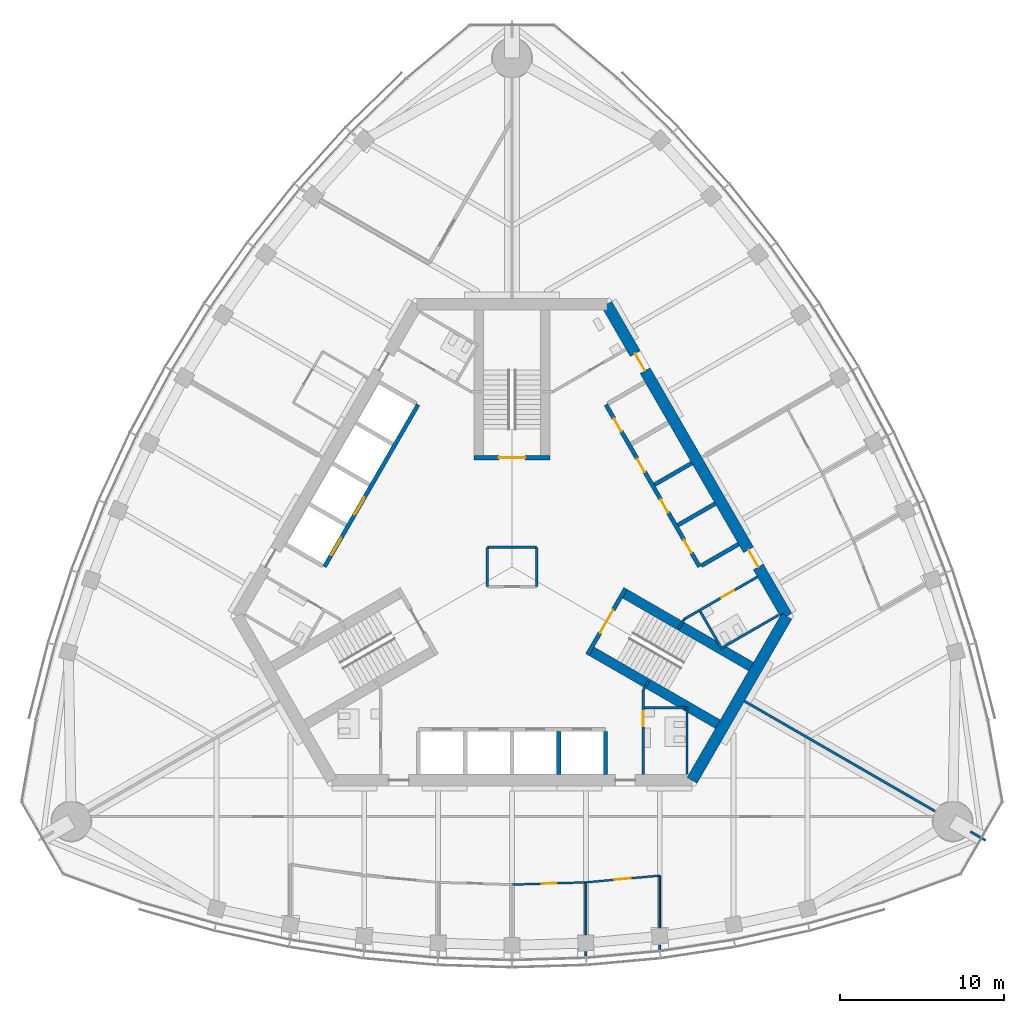
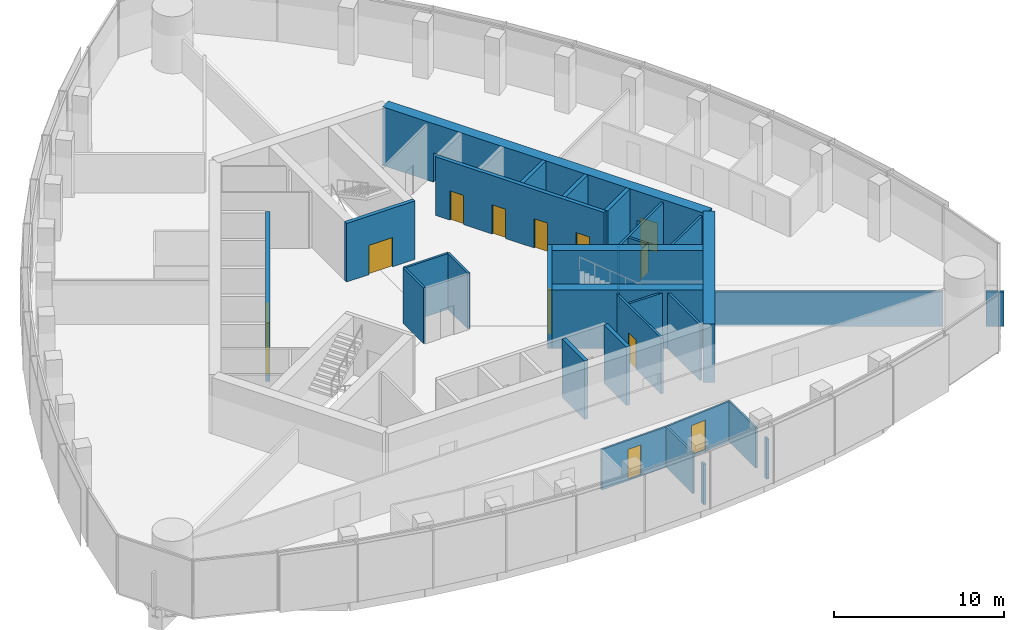
# One storey, part 9 of 16: 32 walls, 14 doors, 14 openings.
"""IFC4 building model written with IfcOpenShell, lengths in metres."""

from ifc_helpers import new_model, si_unit, direction, frame, frame_2d, origin, place, context, subcontext, project, spatial, rectangle, extrude, material, layer, layer_set, type_object, element, fill, save


model = new_model("IFC4")

# Units and contexts
model_context = context("Model", 3, precision=1e-05, world=origin(), true_north=direction((0.0, 1.0)))
body_context = subcontext(model_context, "Body", "Model", "MODEL_VIEW")
ifc_project = project(units=[si_unit("LENGTHUNIT", "METRE"), si_unit("AREAUNIT", "SQUARE_METRE"), si_unit("VOLUMEUNIT", "CUBIC_METRE"), si_unit("PLANEANGLEUNIT", "RADIAN"), si_unit("MASSUNIT", "GRAM", prefix="KILO")], contexts=[model_context])

# Site, building, storey
site_placement = place(None, origin())
site = spatial("IfcSite", under=ifc_project, at=site_placement, CompositionType="ELEMENT")
building_placement = place(site_placement, origin())
building = spatial("IfcBuilding", under=site, at=building_placement, Name="Trefoil Bronze Tower", CompositionType="ELEMENT")
storey_placement = place(building_placement, frame((0.0, 0.0, 293.10009765625)))
storey = spatial("IfcBuildingStorey", under=building, at=storey_placement, Name="L67", CompositionType="ELEMENT", Elevation=293.10009765625)

# Wall
ifc_material_1 = material(Name="Concrete B80", Category="concrete")
ifc_layer_1 = layer(ifc_material_1, 0.699951171875)
ifc_layer_set_1 = layer_set([ifc_layer_1], Name="Core wall 700")
wall_type_1 = type_object("IfcWallType", Name="Core wall 700", PredefinedType="SHEAR", material=ifc_layer_set_1)
wall_1_placement = place(storey_placement, frame((10.9697265625, -13.0, 0.0), z_axis=(0.0, 0.0, 1.0), x_axis=(0.499995765644, 0.866027848477, 0.0)))
element("IfcWall", 1, at=wall_1_placement, inside=storey, type_object=wall_type_1, Name="Core short wall 1 L67", PredefinedType="SHEAR", context=body_context, shape_type="SweptSolid", body=[
    extrude(rectangle(XDim=11.546875, YDim=0.699951171875, at=frame_2d((5.7734375, 0.0))), origin(), (0.0, 0.0, 1.0), 4.199951171875),
])

# Wall, openings, doors
wall_2_placement = place(storey_placement, frame((16.7431640625, -3.0, 0.0), z_axis=(0.0, 0.0, 1.0), x_axis=(-0.500002442456, 0.866023993627, 0.0)))
wall_2 = element("IfcWall", 2, at=wall_2_placement, inside=storey, type_object=wall_type_1, Name="Core long wall 2 L67", PredefinedType="SHEAR", context=body_context, shape_type="SweptSolid", body=[
    extrude(rectangle(XDim=21.939453125, YDim=0.699951171875, at=frame_2d((10.9697265625, 0.0))), origin(), (0.0, 0.0, 1.0), 4.199951171875),
])
opening_1_placement = place(wall_2_placement, frame((17.269775390625, 0.0, 0.0)))
opening_1 = element("IfcOpeningElement", 3, at=opening_1_placement, cuts=wall_2, Name="Opening D2", PredefinedType="OPENING", context=body_context, shape_type="SweptSolid", body=[
    extrude(rectangle(XDim=1.199951171875, YDim=2.10009765625, at=frame_2d((0.60009765625, 1.050048828125))), frame((0.0, 0.35986328125, 0.0), z_axis=(0.0, -1.0, 0.0), x_axis=(1.0, 0.0, 0.0)), (0.0, 0.0, 1.0), 0.719970703125),
])
opening_2_placement = place(wall_2_placement, frame((3.4697265625, 0.0, 0.0)))
opening_2 = element("IfcOpeningElement", 4, at=opening_2_placement, cuts=wall_2, Name="Opening D2", PredefinedType="OPENING", context=body_context, shape_type="SweptSolid", body=[
    extrude(rectangle(XDim=1.199951171875, YDim=2.10009765625, at=frame_2d((0.60009765625, 1.050048828125))), frame((0.0, 0.35986328125, 0.0), z_axis=(0.0, -1.0, 0.0), x_axis=(1.0, 0.0, 0.0)), (0.0, 0.0, 1.0), 0.719970703125),
])
ifc_material_2 = material(Name="Steel door", Category="steel")
door_type_1 = type_object("IfcDoorType", Name="Lobby door 1200", OperationType="SINGLE_SWING_RIGHT", PredefinedType="DOOR", material=ifc_material_2)
door_1_placement = place(opening_1_placement, origin())
door_1 = element("IfcDoor", 5, at=door_1_placement, inside=storey, type_object=door_type_1, Name="Lobby door F2+ L67", OperationType="SINGLE_SWING_RIGHT", OverallHeight=2.10009765625, OverallWidth=1.199951171875, PredefinedType="DOOR", context=body_context, shape_type="SweptSolid", body=[
    extrude(rectangle(XDim=1.199951171875, YDim=2.10009765625, at=frame_2d((0.60009765625, 1.050048828125))), frame((0.0, 0.02490234375, 0.0), z_axis=(0.0, -1.0, 0.0), x_axis=(1.0, 0.0, 0.0)), (0.0, 0.0, 1.0), 0.050048828125),
])
fill(opening_1, door_1)
door_2_placement = place(opening_2_placement, origin())
door_2 = element("IfcDoor", 6, at=door_2_placement, inside=storey, type_object=door_type_1, Name="Lobby door F2- L67", OperationType="SINGLE_SWING_LEFT", OverallHeight=2.10009765625, OverallWidth=1.199951171875, PredefinedType="DOOR", context=body_context, shape_type="SweptSolid", body=[
    extrude(rectangle(XDim=1.199951171875, YDim=2.10009765625, at=frame_2d((0.60009765625, 1.050048828125))), frame((0.0, 0.02490234375, 0.0), z_axis=(0.0, -1.0, 0.0), x_axis=(1.0, 0.0, 0.0)), (0.0, 0.0, 1.0), 0.050048828125),
])
fill(opening_2, door_2)

# Wall, opening, door
ifc_material_3 = material(Name="Glazed partition", Category="glass")
ifc_layer_2 = layer(ifc_material_3, 0.1201171875)
ifc_layer_set_2 = layer_set([ifc_layer_2], Name="Glazed partition 120")
wall_type_2 = type_object("IfcWallType", Name="Glazed partition 120", PredefinedType="PARTITIONING", material=ifc_layer_set_2)
wall_3_placement = place(storey_placement, frame((0.0, -19.3515625, 0.0), z_axis=(0.0, 0.0, 1.0), x_axis=(0.999542074227, 0.030259574513, 0.0)))
wall_3 = element("IfcWall", 7, at=wall_3_placement, inside=storey, type_object=wall_type_2, Name="Partition F1 L67", PredefinedType="PARTITIONING", context=body_context, shape_type="SweptSolid", body=[
    extrude(rectangle(XDim=4.501953125, YDim=0.1201171875, at=frame_2d((2.2509765625, 0.0))), origin(), (0.0, 0.0, 1.0), 2.89990234375),
])
opening_3_placement = place(wall_3_placement, frame((1.800048828125, 0.0, 0.14990234375)))
opening_3 = element("IfcOpeningElement", 8, at=opening_3_placement, cuts=wall_3, Name="Opening D8", PredefinedType="OPENING", context=body_context, shape_type="SweptSolid", body=[
    extrude(rectangle(XDim=0.89990234375, YDim=2.10009765625, at=frame_2d((0.449951171875, 1.050048828125))), frame((0.0, 0.070068359375, 0.0), z_axis=(0.0, -1.0, 0.0), x_axis=(1.0, 0.0, 0.0)), (0.0, 0.0, 1.0), 0.14013671875),
])
ifc_material_4 = material(Name="Timber door", Category="wood")
door_type_2 = type_object("IfcDoorType", Name="Office door 900", OperationType="SINGLE_SWING_LEFT", PredefinedType="DOOR", material=ifc_material_4)
door_3_placement = place(opening_3_placement, frame((0.89990234375, 0.0, 0.0), z_axis=(0.0, 0.0, 1.0), x_axis=(-1.0, 0.0, 0.0)))
door_3 = element("IfcDoor", 9, at=door_3_placement, inside=storey, type_object=door_type_2, Name="Office door F1 L67", OperationType="SINGLE_SWING_RIGHT", OverallHeight=2.10009765625, OverallWidth=0.89990234375, PredefinedType="DOOR", context=body_context, shape_type="SweptSolid", body=[
    extrude(rectangle(XDim=0.89990234375, YDim=2.10009765625, at=frame_2d((0.449951171875, 1.050048828125))), frame((0.0, 0.02490234375, 0.0), z_axis=(0.0, -1.0, 0.0), x_axis=(1.0, 0.0, 0.0)), (0.0, 0.0, 1.0), 0.050048828125),
])
fill(opening_3, door_3)

wall_4_placement = place(storey_placement, frame((4.5, -19.21533203125, 0.0), z_axis=(0.0, 0.0, 1.0), x_axis=(0.995871921504, 0.090769576179, 0.0)))
wall_4 = element("IfcWall", 10, at=wall_4_placement, inside=storey, type_object=wall_type_2, Name="Partition F1 L67", PredefinedType="PARTITIONING", context=body_context, shape_type="SweptSolid", body=[
    extrude(rectangle(XDim=4.5185546875, YDim=0.1201171875, at=frame_2d((2.25927734375, 0.0))), origin(), (0.0, 0.0, 1.0), 2.89990234375),
])
opening_4_placement = place(wall_4_placement, frame((1.75, 0.0, 0.14990234375)))
opening_4 = element("IfcOpeningElement", 11, at=opening_4_placement, cuts=wall_4, Name="Opening D9", PredefinedType="OPENING", context=body_context, shape_type="SweptSolid", body=[
    extrude(rectangle(XDim=1.0, YDim=2.10009765625, at=frame_2d((0.5, 1.050048828125))), frame((0.0, 0.070068359375, 0.0), z_axis=(0.0, -1.0, 0.0), x_axis=(1.0, 0.0, 0.0)), (0.0, 0.0, 1.0), 0.14013671875),
])
ifc_material_5 = material(Name="Glazed timber door", Category="wood")
door_type_3 = type_object("IfcDoorType", Name="Meeting room door 1000", OperationType="SINGLE_SWING_LEFT", PredefinedType="DOOR", material=ifc_material_5)
door_4_placement = place(opening_4_placement, frame((1.0, 0.0, 0.0), z_axis=(0.0, 0.0, 1.0), x_axis=(-1.0, 0.0, 0.0)))
door_4 = element("IfcDoor", 12, at=door_4_placement, inside=storey, type_object=door_type_3, Name="Meeting room door F1 L67", OperationType="SINGLE_SWING_RIGHT", OverallHeight=2.10009765625, OverallWidth=1.0, PredefinedType="DOOR", context=body_context, shape_type="SweptSolid", body=[
    extrude(rectangle(XDim=1.0, YDim=2.10009765625, at=frame_2d((0.5, 1.050048828125))), frame((0.0, 0.02490234375, 0.0), z_axis=(0.0, -1.0, 0.0), x_axis=(1.0, 0.0, 0.0)), (0.0, 0.0, 1.0), 0.050048828125),
])
fill(opening_4, door_4)

# Walls
wall_5_placement = place(storey_placement, frame((4.5, -19.21533203125, 0.0), z_axis=(0.0, 0.0, 1.0), x_axis=(0.0, -1.0, 0.0)))
element("IfcWall", 13, at=wall_5_placement, inside=storey, type_object=wall_type_2, Name="Partition F1 L67", PredefinedType="PARTITIONING", context=body_context, shape_type="SweptSolid", body=[
    extrude(rectangle(XDim=3.192626953125, YDim=0.1201171875, at=frame_2d((1.59619140625, 0.0))), origin(), (0.0, 0.0, 1.0), 2.89990234375),
])
wall_6_placement = place(storey_placement, frame((9.0, -18.80517578125, 0.0), z_axis=(0.0, 0.0, 1.0), x_axis=(0.0, -1.0, 0.0)))
element("IfcWall", 14, at=wall_6_placement, inside=storey, type_object=wall_type_2, Name="Partition F1 L67", PredefinedType="PARTITIONING", context=body_context, shape_type="SweptSolid", body=[
    extrude(rectangle(XDim=3.185302734375, YDim=0.1201171875, at=frame_2d((1.5927734375, 0.0))), origin(), (0.0, 0.0, 1.0), 2.89990234375),
])

# Wall, opening, door
ifc_material_6 = material(Name="Gypsum board on steel studs", Category="steel")
ifc_layer_3 = layer(ifc_material_6, 0.14990234375)
ifc_layer_set_3 = layer_set([ifc_layer_3], Name="Partition 150")
wall_type_3 = type_object("IfcWallType", Name="Partition 150", PredefinedType="PARTITIONING", material=ifc_layer_set_3)
wall_7_placement = place(storey_placement, frame((8.0, -7.5, 0.0), z_axis=(0.0, 0.0, 1.0), x_axis=(0.0, -1.0, 0.0)))
wall_7 = element("IfcWall", 15, at=wall_7_placement, inside=storey, type_object=wall_type_3, Name="Passage wall F1+ L67", PredefinedType="PARTITIONING", context=body_context, shape_type="SweptSolid", body=[
    extrude(rectangle(XDim=5.14990234375, YDim=0.14990234375, at=frame_2d((2.574951171875, 0.0))), origin(), (0.0, 0.0, 1.0), 4.0),
])
opening_5_placement = place(wall_7_placement, frame((1.300048828125, 0.0, 0.0)))
opening_5 = element("IfcOpeningElement", 16, at=opening_5_placement, cuts=wall_7, Name="Opening D3", PredefinedType="OPENING", context=body_context, shape_type="SweptSolid", body=[
    extrude(rectangle(XDim=0.89990234375, YDim=2.10009765625, at=frame_2d((0.449951171875, 1.050048828125))), frame((0.0, 0.0849609375, 0.0), z_axis=(0.0, -1.0, 0.0), x_axis=(1.0, 0.0, 0.0)), (0.0, 0.0, 1.0), 0.169921875),
])
ifc_material_7 = material(Name="Timber door", Category="wood")
door_type_4 = type_object("IfcDoorType", Name="WC door 900", OperationType="SINGLE_SWING_LEFT", PredefinedType="DOOR", material=ifc_material_7)
door_5_placement = place(opening_5_placement, origin())
door_5 = element("IfcDoor", 17, at=door_5_placement, inside=storey, type_object=door_type_4, Name="WC (men) door L67", OperationType="SINGLE_SWING_LEFT", OverallHeight=2.10009765625, OverallWidth=0.89990234375, PredefinedType="DOOR", context=body_context, shape_type="SweptSolid", body=[
    extrude(rectangle(XDim=0.89990234375, YDim=2.10009765625, at=frame_2d((0.449951171875, 1.050048828125))), frame((0.0, 0.02490234375, 0.0), z_axis=(0.0, -1.0, 0.0), x_axis=(1.0, 0.0, 0.0)), (0.0, 0.0, 1.0), 0.050048828125),
])
fill(opening_5, door_5)

wall_8_placement = place(storey_placement, frame((10.4951171875, -3.17822265625, 0.0), z_axis=(0.0, 0.0, 1.0), x_axis=(0.866037967349, 0.499978238636, 0.0)))
wall_8 = element("IfcWall", 18, at=wall_8_placement, inside=storey, type_object=wall_type_3, Name="Passage wall F2- L67", PredefinedType="PARTITIONING", context=body_context, shape_type="SweptSolid", body=[
    extrude(rectangle(XDim=5.150146484375, YDim=0.14990234375, at=frame_2d((2.5751953125, 0.0))), origin(), (0.0, 0.0, 1.0), 4.0),
])
opening_6_placement = place(wall_8_placement, frame((2.60009765625, 0.0, 0.0)))
opening_6 = element("IfcOpeningElement", 19, at=opening_6_placement, cuts=wall_8, Name="Opening D3", PredefinedType="OPENING", context=body_context, shape_type="SweptSolid", body=[
    extrude(rectangle(XDim=0.89990234375, YDim=2.10009765625, at=frame_2d((0.449951171875, 1.050048828125))), frame((0.0, 0.0849609375, 0.0), z_axis=(0.0, -1.0, 0.0), x_axis=(1.0, 0.0, 0.0)), (0.0, 0.0, 1.0), 0.169921875),
])
door_6_placement = place(opening_6_placement, frame((0.89990234375, 0.0, 0.0), z_axis=(0.0, 0.0, 1.0), x_axis=(-1.0, 0.0, 0.0)))
door_6 = element("IfcDoor", 20, at=door_6_placement, inside=storey, type_object=door_type_4, Name="WC (women) door L67", OperationType="SINGLE_SWING_RIGHT", OverallHeight=2.10009765625, OverallWidth=0.89990234375, PredefinedType="DOOR", context=body_context, shape_type="SweptSolid", body=[
    extrude(rectangle(XDim=0.89990234375, YDim=2.10009765625, at=frame_2d((0.449951171875, 1.050048828125))), frame((0.0, 0.02490234375, 0.0), z_axis=(0.0, -1.0, 0.0), x_axis=(1.0, 0.0, 0.0)), (0.0, 0.0, 1.0), 0.050048828125),
])
fill(opening_6, door_6)

# Walls
for number, where, z_axis, x_axis, name in (
    (21, (8.0, -7.5, 0.0), (0.0, 0.0, 1.0), (0.499842556608, 0.866116284689, 0.0), "WC wall ST1-1 L67"),
    (22, (10.4951171875, -3.17822265625, 0.0), (0.0, 0.0, 1.0), (-0.499842556608, -0.866116284689, 0.0), "WC wall ST1+1 L67"),
):
    element("IfcWall", number, at=place(storey_placement, frame(where, z_axis=z_axis, x_axis=x_axis)), inside=storey, type_object=wall_type_3, Name=name, PredefinedType="PARTITIONING", context=body_context, shape_type="SweptSolid", body=[
        extrude(rectangle(XDim=0.645263671875, YDim=0.14990234375, at=frame_2d((0.32275390625, 0.0))), origin(), (0.0, 0.0, 1.0), 4.0),
    ])
wall_9_placement = place(storey_placement, frame((10.659912109375, -8.5, 0.0), z_axis=(0.0, 0.0, 1.0), x_axis=(0.0, -1.0, 0.0)))
element("IfcWall", 23, at=wall_9_placement, inside=storey, type_object=wall_type_3, Name="WC partition WC (men) L67", PredefinedType="PARTITIONING", context=body_context, shape_type="SweptSolid", body=[
    extrude(rectangle(XDim=4.10009765625, YDim=0.14990234375, at=frame_2d((2.050048828125, 0.0))), origin(), (0.0, 0.0, 1.0), 4.0),
])
wall_10_placement = place(storey_placement, frame((8.074951171875, -8.574951171875, 0.0), z_axis=(0.0, 0.0, 1.0), x_axis=(1.0, 0.0, 0.0)))
element("IfcWall", 24, at=wall_10_placement, inside=storey, type_object=wall_type_3, Name="WC partition WC (men) L67", PredefinedType="PARTITIONING", context=body_context, shape_type="SweptSolid", body=[
    extrude(rectangle(XDim=2.510009765625, YDim=0.14990234375, at=frame_2d((1.2548828125, 0.0))), origin(), (0.0, 0.0, 1.0), 4.0),
])
wall_11_placement = place(storey_placement, frame((12.691162109375, -4.98193359375, 0.0), z_axis=(0.0, 0.0, 1.0), x_axis=(0.8660249478, 0.500000789788, 0.0)))
element("IfcWall", 25, at=wall_11_placement, inside=storey, type_object=wall_type_3, Name="WC partition WC (women) L67", PredefinedType="PARTITIONING", context=body_context, shape_type="SweptSolid", body=[
    extrude(rectangle(XDim=4.10009765625, YDim=0.14990234375, at=frame_2d((2.050048828125, 0.0))), origin(), (0.0, 0.0, 1.0), 4.0),
])
wall_12_placement = place(storey_placement, frame((11.463623046875, -2.70556640625, 0.0), z_axis=(0.0, 0.0, 1.0), x_axis=(0.50001992892, -0.866013897511, 0.0)))
element("IfcWall", 26, at=wall_12_placement, inside=storey, type_object=wall_type_3, Name="WC partition WC (women) L67", PredefinedType="PARTITIONING", context=body_context, shape_type="SweptSolid", body=[
    extrude(rectangle(XDim=2.51025390625, YDim=0.14990234375, at=frame_2d((1.255126953125, 0.0))), origin(), (0.0, 0.0, 1.0), 4.0),
])
wall_13_placement = place(storey_placement, frame((4.5, -23.4208984375, 0.0), z_axis=(0.0, 0.0, 1.0), x_axis=(0.0, -1.0, 0.0)))
element("IfcWall", 27, at=wall_13_placement, inside=storey, type_object=wall_type_3, Name="Partition F1 L67", PredefinedType="PARTITIONING", context=body_context, shape_type="SweptSolid", body=[
    extrude(rectangle(XDim=0.28955078125, YDim=0.14990234375, at=frame_2d((0.144775390625, 0.0))), origin(), (0.0, 0.0, 1.0), 2.89990234375),
])
wall_14_placement = place(storey_placement, frame((9.0, -23.0322265625, 0.0), z_axis=(0.0, 0.0, 1.0), x_axis=(0.0, -1.0, 0.0)))
element("IfcWall", 28, at=wall_14_placement, inside=storey, type_object=wall_type_3, Name="Partition F1 L67", PredefinedType="PARTITIONING", context=body_context, shape_type="SweptSolid", body=[
    extrude(rectangle(XDim=0.267822265625, YDim=0.14990234375, at=frame_2d((0.1337890625, 0.0))), origin(), (0.0, 0.0, 1.0), 2.89990234375),
])
ifc_material_8 = material(Name="Gypsum board on steel studs", Category="steel")
ifc_layer_4 = layer(ifc_material_8, 0.14990234375)
ifc_layer_set_4 = layer_set([ifc_layer_4], Name="Party wall 150")
wall_type_4 = type_object("IfcWallType", Name="Party wall 150", PredefinedType="PARTITIONING", material=ifc_layer_set_4)
wall_15_placement = place(storey_placement, frame((14.159423828125, -8.175048828125, 0.0), z_axis=(0.0, 0.0, 1.0), x_axis=(0.866026905467, -0.499997399001, 0.0)))
element("IfcWall", 29, at=wall_15_placement, inside=storey, type_object=wall_type_4, Name="Party wall K1 L67", PredefinedType="PARTITIONING", context=body_context, shape_type="SweptSolid", body=[
    extrude(rectangle(XDim=13.39990234375, YDim=0.14990234375, at=frame_2d((6.699951171875, 0.0))), origin(), (0.0, 0.0, 1.0), 2.5),
])
wall_16_placement = place(storey_placement, frame((27.92919921875, -16.125, 0.0), z_axis=(0.0, 0.0, 1.0), x_axis=(0.866086810508, -0.499893625349, 0.0)))
element("IfcWall", 30, at=wall_16_placement, inside=storey, type_object=wall_type_4, Name="Party wall K1 L67", PredefinedType="PARTITIONING", context=body_context, shape_type="SweptSolid", body=[
    extrude(rectangle(XDim=1.070068359375, YDim=0.14990234375, at=frame_2d((0.53515625, 0.0))), origin(), (0.0, 0.0, 1.0), 2.5),
])
ifc_material_9 = material(Name="Gypsum board on steel studs", Category="steel")
ifc_layer_5 = layer(ifc_material_9, 0.14990234375)
ifc_layer_set_5 = layer_set([ifc_layer_5], Name="Riser wall 150")
wall_type_5 = type_object("IfcWallType", Name="Riser wall 150", PredefinedType="PARTITIONING", material=ifc_layer_set_5)
wall_17_placement = place(storey_placement, frame((1.5, -1.199951171875, 0.0), z_axis=(0.0, 0.0, 1.0), x_axis=(0.0, 1.0, 0.0)))
element("IfcWall", 31, at=wall_17_placement, inside=storey, type_object=wall_type_5, Name="Riser wall L67", PredefinedType="PARTITIONING", context=body_context, shape_type="SweptSolid", body=[
    extrude(rectangle(XDim=2.39990234375, YDim=0.14990234375, at=frame_2d((1.199951171875, 0.0))), origin(), (0.0, 0.0, 1.0), 4.0),
])
wall_18_placement = place(storey_placement, frame((1.5, 1.199951171875, 0.0), z_axis=(0.0, 0.0, 1.0), x_axis=(-1.0, 0.0, 0.0)))
element("IfcWall", 32, at=wall_18_placement, inside=storey, type_object=wall_type_5, Name="Riser wall L67", PredefinedType="PARTITIONING", context=body_context, shape_type="SweptSolid", body=[
    extrude(rectangle(XDim=3.0, YDim=0.14990234375, at=frame_2d((1.5, 0.0))), origin(), (0.0, 0.0, 1.0), 4.0),
])
wall_19_placement = place(storey_placement, frame((-1.5, 1.199951171875, 0.0), z_axis=(0.0, 0.0, 1.0), x_axis=(0.0, -1.0, 0.0)))
element("IfcWall", 33, at=wall_19_placement, inside=storey, type_object=wall_type_5, Name="Riser wall L67", PredefinedType="PARTITIONING", context=body_context, shape_type="SweptSolid", body=[
    extrude(rectangle(XDim=2.39990234375, YDim=0.14990234375, at=frame_2d((1.199951171875, 0.0))), origin(), (0.0, 0.0, 1.0), 4.0),
])
ifc_material_10 = material(Name="Concrete B80", Category="concrete")
ifc_layer_6 = layer(ifc_material_10, 0.25)
ifc_layer_set_6 = layer_set([ifc_layer_6], Name="Shaft wall 250")
wall_type_6 = type_object("IfcWallType", Name="Shaft wall 250", PredefinedType="SHEAR", material=ifc_layer_set_6)
for number, where, z_axis, x_axis, name in (
    (34, (2.85009765625, -10.02490234375, 0.0), (0.0, 0.0, 1.0), (0.0, -1.0, 0.0), "Lift shaft side wall A3 L67"),
    (35, (5.699951171875, -10.02490234375, 0.0), (0.0, 0.0, 1.0), (0.0, -1.0, 0.0), "Lift shaft side wall A4 L67"),
):
    element("IfcWall", number, at=place(storey_placement, frame(where, z_axis=z_axis, x_axis=x_axis)), inside=storey, type_object=wall_type_6, Name=name, PredefinedType="SHEAR", context=body_context, shape_type="SweptSolid", body=[
        extrude(rectangle(XDim=2.625, YDim=0.25, at=frame_2d((1.3125, 0.0))), origin(), (0.0, 0.0, 1.0), 4.199951171875),
    ])

# Wall, openings, doors
wall_20_placement = place(storey_placement, frame((11.423583984375, 0.013671875, 0.0), z_axis=(0.0, 0.0, 1.0), x_axis=(-0.500001763848, 0.866024385424, 0.0)))
wall_20 = element("IfcWall", 36, at=wall_20_placement, inside=storey, type_object=wall_type_6, Name="Lift shaft front wall B L67", PredefinedType="SHEAR", context=body_context, shape_type="SweptSolid", body=[
    extrude(rectangle(XDim=11.39990234375, YDim=0.25, at=frame_2d((5.699951171875, 0.0))), origin(), (0.0, 0.0, 1.0), 4.199951171875),
])
opening_7_placement = place(wall_20_placement, frame((0.97509765625, 0.0, 0.0)))
opening_7 = element("IfcOpeningElement", 37, at=opening_7_placement, cuts=wall_20, Name="Opening D12", PredefinedType="OPENING", context=body_context, shape_type="SweptSolid", body=[
    extrude(rectangle(XDim=0.89990234375, YDim=2.10009765625, at=frame_2d((0.449951171875, 1.050048828125))), frame((0.0, 0.135009765625, 0.0), z_axis=(0.0, -1.0, 0.0), x_axis=(1.0, 0.0, 0.0)), (0.0, 0.0, 1.0), 0.27001953125),
])
opening_8_placement = place(wall_20_placement, frame((3.824951171875, 0.0, 0.0)))
opening_8 = element("IfcOpeningElement", 38, at=opening_8_placement, cuts=wall_20, Name="Opening D12", PredefinedType="OPENING", context=body_context, shape_type="SweptSolid", body=[
    extrude(rectangle(XDim=0.89990234375, YDim=2.10009765625, at=frame_2d((0.449951171875, 1.050048828125))), frame((0.0, 0.135009765625, 0.0), z_axis=(0.0, -1.0, 0.0), x_axis=(1.0, 0.0, 0.0)), (0.0, 0.0, 1.0), 0.27001953125),
])
opening_9_placement = place(wall_20_placement, frame((6.675048828125, 0.0, 0.0)))
opening_9 = element("IfcOpeningElement", 39, at=opening_9_placement, cuts=wall_20, Name="Opening D12", PredefinedType="OPENING", context=body_context, shape_type="SweptSolid", body=[
    extrude(rectangle(XDim=0.89990234375, YDim=2.10009765625, at=frame_2d((0.449951171875, 1.050048828125))), frame((0.0, 0.135009765625, 0.0), z_axis=(0.0, -1.0, 0.0), x_axis=(1.0, 0.0, 0.0)), (0.0, 0.0, 1.0), 0.27001953125),
])
opening_10_placement = place(wall_20_placement, frame((9.52490234375, 0.0, 0.0)))
opening_10 = element("IfcOpeningElement", 40, at=opening_10_placement, cuts=wall_20, Name="Opening D12", PredefinedType="OPENING", context=body_context, shape_type="SweptSolid", body=[
    extrude(rectangle(XDim=0.89990234375, YDim=2.10009765625, at=frame_2d((0.449951171875, 1.050048828125))), frame((0.0, 0.135009765625, 0.0), z_axis=(0.0, -1.0, 0.0), x_axis=(1.0, 0.0, 0.0)), (0.0, 0.0, 1.0), 0.27001953125),
])
ifc_material_11 = material(Name="Steel door", Category="steel")
door_type_5 = type_object("IfcDoorType", Name="Shaft room door 900", OperationType="SINGLE_SWING_LEFT", PredefinedType="DOOR", material=ifc_material_11)
door_7_placement = place(opening_7_placement, frame((0.89990234375, 0.0, 0.0), z_axis=(0.0, 0.0, 1.0), x_axis=(-1.0, 0.0, 0.0)))
door_7 = element("IfcDoor", 41, at=door_7_placement, inside=storey, type_object=door_type_5, Name="Shaft room door B1 L67", OperationType="SINGLE_SWING_LEFT", OverallHeight=2.10009765625, OverallWidth=0.89990234375, PredefinedType="DOOR", context=body_context, shape_type="SweptSolid", body=[
    extrude(rectangle(XDim=0.89990234375, YDim=2.10009765625, at=frame_2d((0.449951171875, 1.050048828125))), frame((0.0, 0.02490234375, 0.0), z_axis=(0.0, -1.0, 0.0), x_axis=(1.0, 0.0, 0.0)), (0.0, 0.0, 1.0), 0.050048828125),
])
fill(opening_7, door_7)
door_8_placement = place(opening_8_placement, frame((0.89990234375, 0.0, 0.0), z_axis=(0.0, 0.0, 1.0), x_axis=(-1.0, 0.0, 0.0)))
door_8 = element("IfcDoor", 42, at=door_8_placement, inside=storey, type_object=door_type_5, Name="Shaft room door B2 L67", OperationType="SINGLE_SWING_RIGHT", OverallHeight=2.10009765625, OverallWidth=0.89990234375, PredefinedType="DOOR", context=body_context, shape_type="SweptSolid", body=[
    extrude(rectangle(XDim=0.89990234375, YDim=2.10009765625, at=frame_2d((0.449951171875, 1.050048828125))), frame((0.0, 0.02490234375, 0.0), z_axis=(0.0, -1.0, 0.0), x_axis=(1.0, 0.0, 0.0)), (0.0, 0.0, 1.0), 0.050048828125),
])
fill(opening_8, door_8)
door_9_placement = place(opening_9_placement, frame((0.89990234375, 0.0, 0.0), z_axis=(0.0, 0.0, 1.0), x_axis=(-1.0, 0.0, 0.0)))
door_9 = element("IfcDoor", 43, at=door_9_placement, inside=storey, type_object=door_type_5, Name="Shaft room door B3 L67", OperationType="SINGLE_SWING_RIGHT", OverallHeight=2.10009765625, OverallWidth=0.89990234375, PredefinedType="DOOR", context=body_context, shape_type="SweptSolid", body=[
    extrude(rectangle(XDim=0.89990234375, YDim=2.10009765625, at=frame_2d((0.449951171875, 1.050048828125))), frame((0.0, 0.02490234375, 0.0), z_axis=(0.0, -1.0, 0.0), x_axis=(1.0, 0.0, 0.0)), (0.0, 0.0, 1.0), 0.050048828125),
])
fill(opening_9, door_9)
door_10_placement = place(opening_10_placement, frame((0.89990234375, 0.0, 0.0), z_axis=(0.0, 0.0, 1.0), x_axis=(-1.0, 0.0, 0.0)))
door_10 = element("IfcDoor", 44, at=door_10_placement, inside=storey, type_object=door_type_5, Name="Shaft room door B4 L67", OperationType="SINGLE_SWING_RIGHT", OverallHeight=2.10009765625, OverallWidth=0.89990234375, PredefinedType="DOOR", context=body_context, shape_type="SweptSolid", body=[
    extrude(rectangle(XDim=0.89990234375, YDim=2.10009765625, at=frame_2d((0.449951171875, 1.050048828125))), frame((0.0, 0.02490234375, 0.0), z_axis=(0.0, -1.0, 0.0), x_axis=(1.0, 0.0, 0.0)), (0.0, 0.0, 1.0), 0.050048828125),
])
fill(opening_10, door_10)

# Walls
for number, where, z_axis, x_axis, name in (
    (45, (11.531982421875, 0.076171875, 0.0), (0.0, 0.0, 1.0), (0.866013657776, 0.500020344131, 0.0), "Lift shaft side wall B0 L67"),
    (46, (10.10693359375, 2.54443359375, 0.0), (0.0, 0.0, 1.0), (0.866013657776, 0.500020344131, 0.0), "Lift shaft side wall B1 L67"),
    (47, (8.681884765625, 5.012451171875, 0.0), (0.0, 0.0, 1.0), (0.866036909293, 0.499980071345, 0.0), "Lift shaft side wall B2 L67"),
):
    element("IfcWall", number, at=place(storey_placement, frame(where, z_axis=z_axis, x_axis=x_axis)), inside=storey, type_object=wall_type_6, Name=name, PredefinedType="SHEAR", context=body_context, shape_type="SweptSolid", body=[
        extrude(rectangle(XDim=2.625, YDim=0.25, at=frame_2d((1.3125, 0.0))), origin(), (0.0, 0.0, 1.0), 4.199951171875),
    ])

# Wall, openings, doors
wall_21_placement = place(storey_placement, frame((-5.7236328125, 9.88623046875, 0.0), z_axis=(0.0, 0.0, 1.0), x_axis=(-0.500001763848, -0.866024385424, 0.0)))
wall_21 = element("IfcWall", 48, at=wall_21_placement, inside=storey, type_object=wall_type_6, Name="Lift shaft front wall C L67", PredefinedType="SHEAR", context=body_context, shape_type="SweptSolid", body=[
    extrude(rectangle(XDim=11.39990234375, YDim=0.25, at=frame_2d((5.699951171875, 0.0))), origin(), (0.0, 0.0, 1.0), 4.199951171875),
])
opening_11_placement = place(wall_21_placement, frame((6.52490234375, 0.0, 0.0)))
opening_11 = element("IfcOpeningElement", 49, at=opening_11_placement, cuts=wall_21, Name="Opening LD-FL1", PredefinedType="OPENING", context=body_context, shape_type="SweptSolid", body=[
    extrude(rectangle(XDim=1.199951171875, YDim=2.199951171875, at=frame_2d((0.60009765625, 1.10009765625))), frame((0.0, 0.135009765625, 0.0), z_axis=(0.0, -1.0, 0.0), x_axis=(1.0, 0.0, 0.0)), (0.0, 0.0, 1.0), 0.27001953125),
])
opening_12_placement = place(wall_21_placement, frame((9.375, 0.0, 0.0)))
opening_12 = element("IfcOpeningElement", 50, at=opening_12_placement, cuts=wall_21, Name="Opening LD-FL2", PredefinedType="OPENING", context=body_context, shape_type="SweptSolid", body=[
    extrude(rectangle(XDim=1.199951171875, YDim=2.199951171875, at=frame_2d((0.60009765625, 1.10009765625))), frame((0.0, 0.135009765625, 0.0), z_axis=(0.0, -1.0, 0.0), x_axis=(1.0, 0.0, 0.0)), (0.0, 0.0, 1.0), 0.27001953125),
])
ifc_material_12 = material(Name="Steel door", Category="steel")
door_type_6 = type_object("IfcDoorType", Name="Lift landing door 1200", OperationType="DOUBLE_DOOR_SLIDING", PredefinedType="DOOR", material=ifc_material_12)
door_11_placement = place(opening_11_placement, origin())
door_11 = element("IfcDoor", 51, at=door_11_placement, inside=storey, type_object=door_type_6, Name="Lift FL1 landing door L67", OperationType="DOUBLE_DOOR_SLIDING", OverallHeight=2.199951171875, OverallWidth=1.199951171875, PredefinedType="DOOR", context=body_context, shape_type="SweptSolid", body=[
    extrude(rectangle(XDim=1.199951171875, YDim=2.199951171875, at=frame_2d((0.60009765625, 1.10009765625))), frame((0.0, 0.02490234375, 0.0), z_axis=(0.0, -1.0, 0.0), x_axis=(1.0, 0.0, 0.0)), (0.0, 0.0, 1.0), 0.050048828125),
])
fill(opening_11, door_11)
door_12_placement = place(opening_12_placement, origin())
door_12 = element("IfcDoor", 52, at=door_12_placement, inside=storey, type_object=door_type_6, Name="Lift FL2 landing door L67", OperationType="DOUBLE_DOOR_SLIDING", OverallHeight=2.199951171875, OverallWidth=1.199951171875, PredefinedType="DOOR", context=body_context, shape_type="SweptSolid", body=[
    extrude(rectangle(XDim=1.199951171875, YDim=2.199951171875, at=frame_2d((0.60009765625, 1.10009765625))), frame((0.0, 0.02490234375, 0.0), z_axis=(0.0, -1.0, 0.0), x_axis=(1.0, 0.0, 0.0)), (0.0, 0.0, 1.0), 0.050048828125),
])
fill(opening_12, door_12)

# Wall, opening, door
wall_22_placement = place(storey_placement, frame((4.5966796875, -5.338623046875, 0.0), z_axis=(0.0, 0.0, 1.0), x_axis=(0.499984536904, 0.866034331223, 0.0)))
wall_22 = element("IfcWall", 53, at=wall_22_placement, inside=storey, type_object=wall_type_6, Name="Stair end wall ST1 L67", PredefinedType="SHEAR", context=body_context, shape_type="SweptSolid", body=[
    extrude(rectangle(XDim=4.650146484375, YDim=0.25, at=frame_2d((2.3251953125, 0.0))), origin(), (0.0, 0.0, 1.0), 4.199951171875),
])
opening_13_placement = place(wall_22_placement, frame((1.52490234375, 0.0, 0.0)))
opening_13 = element("IfcOpeningElement", 54, at=opening_13_placement, cuts=wall_22, Name="Opening D1", PredefinedType="OPENING", context=body_context, shape_type="SweptSolid", body=[
    extrude(rectangle(XDim=1.60009765625, YDim=2.10009765625, at=frame_2d((0.800048828125, 1.050048828125))), frame((0.0, 0.135009765625, 0.0), z_axis=(0.0, -1.0, 0.0), x_axis=(1.0, 0.0, 0.0)), (0.0, 0.0, 1.0), 0.27001953125),
])
ifc_material_13 = material(Name="Steel door", Category="steel")
door_type_7 = type_object("IfcDoorType", Name="Stair door 1600", OperationType="DOUBLE_DOOR_SINGLE_SWING", PredefinedType="DOOR", material=ifc_material_13)
door_13_placement = place(opening_13_placement, frame((1.60009765625, 0.0, 0.0), z_axis=(0.0, 0.0, 1.0), x_axis=(-1.0, 0.0, 0.0)))
door_13 = element("IfcDoor", 55, at=door_13_placement, inside=storey, type_object=door_type_7, Name="Stair door ST1 L67", OperationType="DOUBLE_DOOR_SINGLE_SWING", OverallHeight=2.10009765625, OverallWidth=1.60009765625, PredefinedType="DOOR", context=body_context, shape_type="SweptSolid", body=[
    extrude(rectangle(XDim=1.60009765625, YDim=2.10009765625, at=frame_2d((0.800048828125, 1.050048828125))), frame((0.0, 0.02490234375, 0.0), z_axis=(0.0, -1.0, 0.0), x_axis=(1.0, 0.0, 0.0)), (0.0, 0.0, 1.0), 0.050048828125),
])
fill(opening_13, door_13)

wall_23_placement = place(storey_placement, frame((2.324951171875, 6.64990234375, 0.0), z_axis=(0.0, 0.0, 1.0), x_axis=(-1.0, 0.0, 0.0)))
wall_23 = element("IfcWall", 56, at=wall_23_placement, inside=storey, type_object=wall_type_6, Name="Stair end wall ST2 L67", PredefinedType="SHEAR", context=body_context, shape_type="SweptSolid", body=[
    extrude(rectangle(XDim=4.64990234375, YDim=0.25, at=frame_2d((2.324951171875, 0.0))), origin(), (0.0, 0.0, 1.0), 4.199951171875),
])
opening_14_placement = place(wall_23_placement, frame((1.52490234375, 0.0, 0.0)))
opening_14 = element("IfcOpeningElement", 57, at=opening_14_placement, cuts=wall_23, Name="Opening D1", PredefinedType="OPENING", context=body_context, shape_type="SweptSolid", body=[
    extrude(rectangle(XDim=1.60009765625, YDim=2.10009765625, at=frame_2d((0.800048828125, 1.050048828125))), frame((0.0, 0.135009765625, 0.0), z_axis=(0.0, -1.0, 0.0), x_axis=(1.0, 0.0, 0.0)), (0.0, 0.0, 1.0), 0.27001953125),
])
door_14_placement = place(opening_14_placement, frame((1.60009765625, 0.0, 0.0), z_axis=(0.0, 0.0, 1.0), x_axis=(-1.0, 0.0, 0.0)))
door_14 = element("IfcDoor", 58, at=door_14_placement, inside=storey, type_object=door_type_7, Name="Stair door ST2 L67", OperationType="DOUBLE_DOOR_SINGLE_SWING", OverallHeight=2.10009765625, OverallWidth=1.60009765625, PredefinedType="DOOR", context=body_context, shape_type="SweptSolid", body=[
    extrude(rectangle(XDim=1.60009765625, YDim=2.10009765625, at=frame_2d((0.800048828125, 1.050048828125))), frame((0.0, 0.02490234375, 0.0), z_axis=(0.0, -1.0, 0.0), x_axis=(1.0, 0.0, 0.0)), (0.0, 0.0, 1.0), 0.050048828125),
])
fill(opening_14, door_14)

# Walls
ifc_material_14 = material(Name="Concrete B80", Category="concrete")
ifc_layer_7 = layer(ifc_material_14, 0.60009765625)
ifc_layer_set_7 = layer_set([ifc_layer_7], Name="Stair wall 600")
wall_type_7 = type_object("IfcWallType", Name="Stair wall 600", PredefinedType="SHEAR", material=ifc_layer_set_7)
for number, where, z_axis, x_axis, name in (
    (59, (4.638427734375, -5.01611328125, 0.0), (0.0, 0.0, 1.0), (0.866021621257, -0.500006551472, 0.0), "Stair wall ST1 L67"),
    (60, (6.663330078125, -1.5087890625, 0.0), (0.0, 0.0, 1.0), (0.866028310072, -0.499994966129, 0.0), "Stair wall ST1 L67"),
):
    element("IfcWall", number, at=place(storey_placement, frame(where, z_axis=z_axis, x_axis=x_axis)), inside=storey, type_object=wall_type_7, Name=name, PredefinedType="SHEAR", context=body_context, shape_type="SweptSolid", body=[
        extrude(rectangle(XDim=9.125, YDim=0.60009765625, at=frame_2d((4.5625, 0.0))), origin(), (0.0, 0.0, 1.0), 4.199951171875),
    ])

save(model, "model.ifc")
